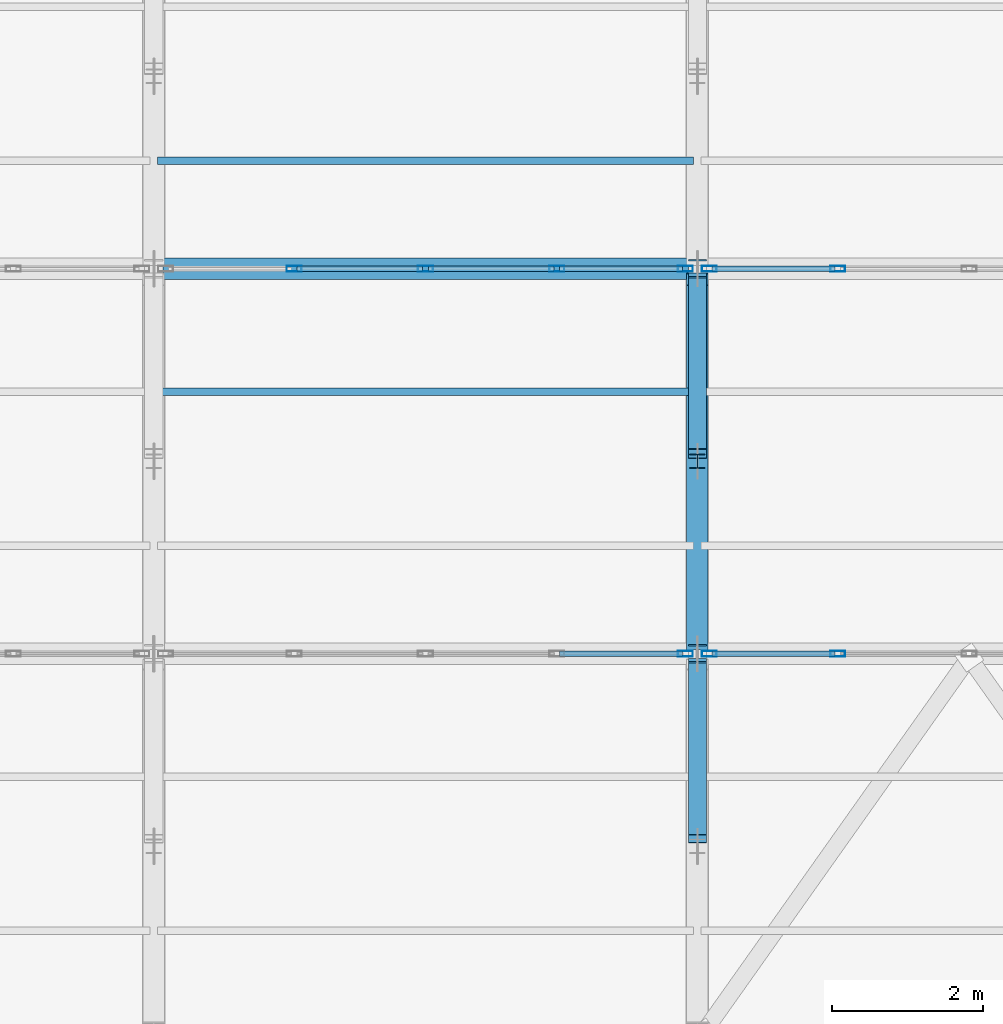
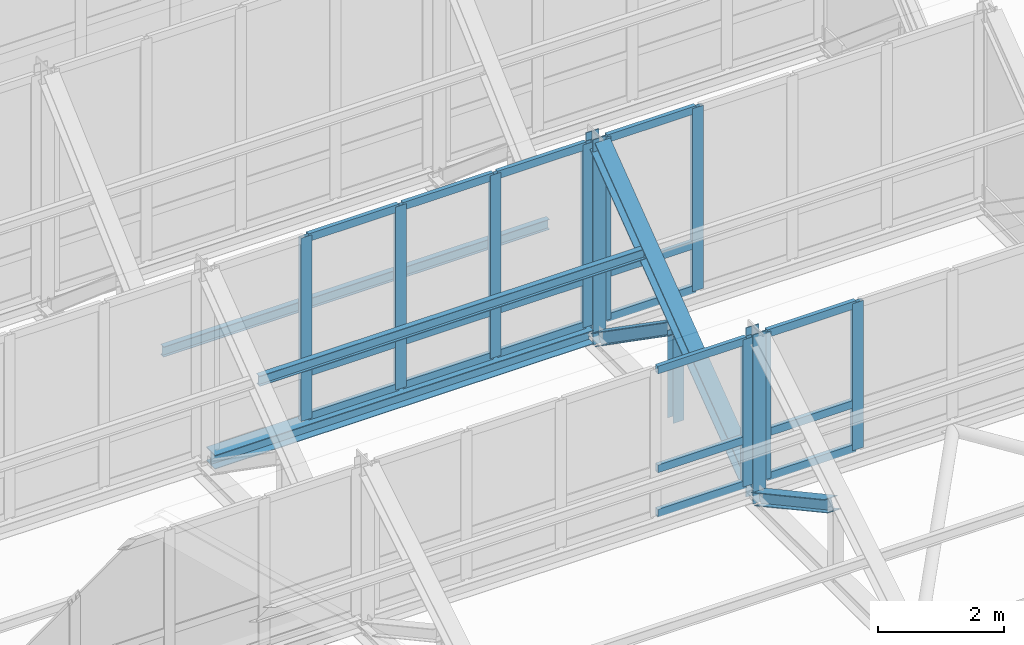
# One storey, part 30 of 157: 35 members, 1 beam, 4 elements without a shape of their own.
"""IFC4 building model written with IfcOpenShell, lengths in metres."""

from ifc_helpers import new_model, si_unit, direction, frame, origin, origin_2d, place, context, subcontext, project, spatial, hollow_rectangle, i_section, extrude, material, material_profile, profile_set, type_object, element, aggregate, save


model = new_model("IFC4")

# Units and contexts
model_context = context("Model", 3, precision=1e-05, world=origin(), true_north=direction((0.0, 1.0)))
body_context = subcontext(model_context, "Body", "Model", "MODEL_VIEW")
ifc_project = project(units=[si_unit("LENGTHUNIT", "METRE"), si_unit("AREAUNIT", "SQUARE_METRE"), si_unit("VOLUMEUNIT", "CUBIC_METRE"), si_unit("PLANEANGLEUNIT", "RADIAN"), si_unit("MASSUNIT", "GRAM", prefix="KILO")], contexts=[model_context])

# Site, building, storey
site_placement = place(None, origin())
site = spatial("IfcSite", under=ifc_project, at=site_placement, CompositionType="ELEMENT")
building_placement = place(site_placement, origin())
building = spatial("IfcBuilding", under=site, at=building_placement, Name="Suanplinth Sawtooth Commons", CompositionType="ELEMENT")
storey_placement = place(building_placement, frame((0.0, 0.0, 9.0)))
storey = spatial("IfcBuildingStorey", under=building, at=storey_placement, Name="L02", CompositionType="ELEMENT", Elevation=9.0)

# Beam
ifc_material_1 = material(Name="Steel S355JR", Category="steel")
ifc_material_profile_1 = material_profile(ifc_material_1, i_section(OverallWidth=0.280029296875, OverallDepth=0.27001953125, WebThickness=0.008056640625, FlangeThickness=0.012939453125, at=origin_2d()), Name="HEA 280")
ifc_profile_set_1 = profile_set([ifc_material_profile_1], Name="Steel S355JR")
beam_type = type_object("IfcBeamType", Name="B-16", PredefinedType="USERDEFINED", material=ifc_profile_set_1)
beam_placement = place(storey_placement, frame((100.919921875, 60.60009765625, 2.820068359375), z_axis=(1.0, 0.0, 0.0), x_axis=(0.0, 1.0, 0.0)))
element("IfcBeam", 1, at=beam_placement, inside=storey, type_object=beam_type, Name="Sawtooth Valley Girder T3-B6", ObjectType="GIRDER", PredefinedType="USERDEFINED", context=body_context, shape_type="SweptSolid", body=[
    extrude(i_section(OverallWidth=0.280029296875, OverallDepth=0.27001953125, WebThickness=0.008056640625, FlangeThickness=0.012939453125, at=origin_2d()), origin(), (0.0, 0.0, 1.0), 6.9599609375),
])

# Members
ifc_material_profile_2 = material_profile(ifc_material_1, i_section(OverallWidth=0.280029296875, OverallDepth=0.280029296875, WebThickness=0.010498046875, FlangeThickness=0.01806640625, at=origin_2d()), Name="HEB 280")
ifc_profile_set_2 = profile_set([ifc_material_profile_2], Name="Steel S355JR")
member_type_1 = type_object("IfcMemberType", Name="M-02", PredefinedType="CHORD", material=ifc_profile_set_2)
member_1_placement = place(storey_placement, frame((108.0, 55.639892578125, 2.919921875), z_axis=(0.0, 0.799596436712, 0.600537707723), x_axis=(-1.0, 0.0, 0.0)))
element("IfcMember", 2, at=member_1_placement, inside=storey, type_object=member_type_1, Name="Sawtooth Truss T7 Top Chord 2", PredefinedType="CHORD", context=body_context, shape_type="SweptSolid", body=[
    extrude(i_section(OverallWidth=0.280029296875, OverallDepth=0.280029296875, WebThickness=0.010498046875, FlangeThickness=0.01806640625, at=origin_2d()), origin(), (0.0, 0.0, 1.0), 6.028076171875),
])
ifc_material_profile_3 = material_profile(ifc_material_1, i_section(OverallWidth=0.239990234375, OverallDepth=0.22998046875, WebThickness=0.007568359375, FlangeThickness=0.011962890625, at=origin_2d()), Name="HEA 240")
ifc_profile_set_3 = profile_set([ifc_material_profile_3], Name="Steel S355JR")
member_type_2 = type_object("IfcMemberType", Name="M-03", PredefinedType="BRACE", material=ifc_profile_set_3)
member_2_placement = place(storey_placement, frame((108.0, 53.050048828125, 4.02001953125), z_axis=(0.0, 0.878022125023, -0.478620045517), x_axis=(-1.0, 0.0, 0.0)))
element("IfcMember", 3, at=member_2_placement, inside=storey, type_object=member_type_2, Name="Sawtooth Truss T7 Web Diagonal 1", PredefinedType="BRACE", context=body_context, shape_type="SweptSolid", body=[
    extrude(i_section(OverallWidth=0.239990234375, OverallDepth=0.22998046875, WebThickness=0.007568359375, FlangeThickness=0.011962890625, at=origin_2d()), origin(), (0.0, 0.0, 1.0), 2.653564453125),
])
member_3_placement = place(storey_placement, frame((108.0, 58.14990234375, 4.3701171875), z_axis=(0.0, 0.821038438566, -0.570872912649), x_axis=(-1.0, 0.0, 0.0)))
element("IfcMember", 4, at=member_3_placement, inside=storey, type_object=member_type_2, Name="Sawtooth Truss T7 Web Diagonal 2", PredefinedType="BRACE", context=body_context, shape_type="SweptSolid", body=[
    extrude(i_section(OverallWidth=0.239990234375, OverallDepth=0.22998046875, WebThickness=0.007568359375, FlangeThickness=0.011962890625, at=origin_2d()), origin(), (0.0, 0.0, 1.0), 2.837890625),
])
ifc_material_profile_4 = material_profile(ifc_material_1, i_section(OverallWidth=0.199951171875, OverallDepth=0.18994140625, WebThickness=0.006591796875, FlangeThickness=0.010009765625, at=origin_2d()), Name="HEA 200")
ifc_profile_set_4 = profile_set([ifc_material_profile_4], Name="Steel S355JR")
member_type_3 = type_object("IfcMemberType", Name="M-04", PredefinedType="BRACE", material=ifc_profile_set_4)
member_4_placement = place(storey_placement, frame((108.0, 58.050048828125, 2.64990234375), z_axis=(0.0, 0.0, 1.0), x_axis=(1.0, 0.0, 0.0)))
element("IfcMember", 5, at=member_4_placement, inside=storey, type_object=member_type_3, Name="Sawtooth Truss T7 Mid Web Post 2", PredefinedType="BRACE", context=body_context, shape_type="SweptSolid", body=[
    extrude(i_section(OverallWidth=0.199951171875, OverallDepth=0.18994140625, WebThickness=0.006591796875, FlangeThickness=0.010009765625, at=origin_2d()), origin(), (0.0, 0.0, 1.0), 1.7001953125),
])
ifc_material_profile_5 = material_profile(ifc_material_1, i_section(OverallWidth=0.239990234375, OverallDepth=0.239990234375, WebThickness=0.010009765625, FlangeThickness=0.01708984375, at=origin_2d()), Name="HEB 240")
ifc_profile_set_5 = profile_set([ifc_material_profile_5], Name="Steel S355JR")
member_type_4 = type_object("IfcMemberType", Name="M-05", PredefinedType="POST", material=ifc_profile_set_5)
member_5_placement = place(storey_placement, frame((108.0, 55.5, 2.64990234375), z_axis=(0.0, 0.0, 1.0), x_axis=(1.0, 0.0, 0.0)))
element("IfcMember", 6, at=member_5_placement, inside=storey, type_object=member_type_4, Name="Sawtooth Truss T7 Clerestory Post 1", PredefinedType="POST", context=body_context, shape_type="SweptSolid", body=[
    extrude(i_section(OverallWidth=0.239990234375, OverallDepth=0.239990234375, WebThickness=0.010009765625, FlangeThickness=0.01708984375, at=origin_2d()), origin(), (0.0, 0.0, 1.0), 3.2900390625),
])
member_6_placement = place(storey_placement, frame((108.0, 60.60009765625, 2.64990234375), z_axis=(0.0, 0.0, 1.0), x_axis=(1.0, 0.0, 0.0)))
element("IfcMember", 7, at=member_6_placement, inside=storey, type_object=member_type_4, Name="Sawtooth Truss T7 Clerestory Post 2", PredefinedType="POST", context=body_context, shape_type="SweptSolid", body=[
    extrude(i_section(OverallWidth=0.239990234375, OverallDepth=0.239990234375, WebThickness=0.010009765625, FlangeThickness=0.01708984375, at=origin_2d()), origin(), (0.0, 0.0, 1.0), 3.989990234375),
])
ifc_material_2 = material(Name="Steel SS400", Category="steel")
ifc_material_profile_6 = material_profile(ifc_material_2, i_section(OverallWidth=0.10009765625, OverallDepth=0.199951171875, WebThickness=0.005615234375, FlangeThickness=0.008544921875, at=origin_2d()), Name="IPE 200")
ifc_profile_set_6 = profile_set([ifc_material_profile_6], Name="Steel SS400")
member_type_5 = type_object("IfcMemberType", Name="M-06", PredefinedType="PURLIN", material=ifc_profile_set_6)
for number, where, z_axis, x_axis, name in (
    (8, (100.85009765625, 58.968017578125, 5.353515625), (1.0, 0.0, 0.0), (0.0, 1.0, 0.0), "Sawtooth Roof Purlin T2-B6-P2"),
    (9, (100.85009765625, 62.028076171875, 4.067138671875), (1.0, 0.0, 0.0), (0.0, 1.0, 0.0), "Sawtooth Roof Purlin T3-B6-P1"),
):
    element("IfcMember", number, at=place(storey_placement, frame(where, z_axis=z_axis, x_axis=x_axis)), inside=storey, type_object=member_type_5, Name=name, PredefinedType="PURLIN", context=body_context, shape_type="SweptSolid", body=[
        extrude(i_section(OverallWidth=0.10009765625, OverallDepth=0.199951171875, WebThickness=0.005615234375, FlangeThickness=0.008544921875, at=origin_2d()), origin(), (0.0, 0.0, 1.0), 7.099853515625),
    ])

# Curtain wall, member
ifc_material_3 = material(Name="Anodized aluminium and low-E glazing", Category="aluminium")
curtain_wall_type = type_object("IfcCurtainWallType", Name="CW-03", PredefinedType="USERDEFINED", material=ifc_material_3)
curtain_wall_1_placement = place(storey_placement, origin())
curtain_wall_1 = element("IfcCurtainWall", 10, at=curtain_wall_1_placement, inside=storey, type_object=curtain_wall_type, Name="Curtain Wall CW-SAW-T1-B6", ObjectType="CURTAIN WALL", PredefinedType="USERDEFINED")
ifc_material_4 = material(Name="Anodized aluminium 6063-T6", Category="aluminium")
ifc_material_profile_7 = material_profile(ifc_material_4, hollow_rectangle(XDim=0.074951171875, YDim=0.199951171875, WallThickness=0.0048828125, at=origin_2d()), Name="ALU-MUL 75x200")
ifc_profile_set_7 = profile_set([ifc_material_profile_7], Name="Anodized aluminium 6063-T6")
member_type_6 = type_object("IfcMemberType", Name="M-14", PredefinedType="MULLION", material=ifc_profile_set_7)
member_7_placement = place(storey_placement, frame((107.842529296875, 55.5, 2.97998046875), z_axis=(0.0, 0.0, 1.0), x_axis=(0.0, 1.0, 0.0)))
member_7 = element("IfcMember", 11, at=member_7_placement, type_object=member_type_6, Name="CW-03 mullion 5", PredefinedType="MULLION", context=body_context, shape_type="SweptSolid", body=[
    extrude(hollow_rectangle(XDim=0.074951171875, YDim=0.199951171875, WallThickness=0.0048828125, at=origin_2d()), origin(), (0.0, 0.0, 1.0), 2.860107421875),
])

# Curtain wall, members
curtain_wall_2_placement = place(storey_placement, origin())
curtain_wall_2 = element("IfcCurtainWall", 12, at=curtain_wall_2_placement, inside=storey, type_object=curtain_wall_type, Name="Curtain Wall CW-SAW-T1-B7", ObjectType="CURTAIN WALL", PredefinedType="USERDEFINED")
member_8_placement = place(storey_placement, frame((108.157470703125, 55.5, 2.97998046875), z_axis=(0.0, 0.0, 1.0), x_axis=(0.0, 1.0, 0.0)))
member_8 = element("IfcMember", 13, at=member_8_placement, type_object=member_type_6, Name="CW-03 mullion 1", PredefinedType="MULLION", context=body_context, shape_type="SweptSolid", body=[
    extrude(hollow_rectangle(XDim=0.074951171875, YDim=0.199951171875, WallThickness=0.0048828125, at=origin_2d()), origin(), (0.0, 0.0, 1.0), 2.860107421875),
])
member_9_placement = place(storey_placement, frame((109.860107421875, 55.5, 2.97998046875), z_axis=(0.0, 0.0, 1.0), x_axis=(0.0, 1.0, 0.0)))
member_9 = element("IfcMember", 14, at=member_9_placement, type_object=member_type_6, Name="CW-03 mullion 2", PredefinedType="MULLION", context=body_context, shape_type="SweptSolid", body=[
    extrude(hollow_rectangle(XDim=0.074951171875, YDim=0.199951171875, WallThickness=0.0048828125, at=origin_2d()), origin(), (0.0, 0.0, 1.0), 2.860107421875),
])

curtain_wall_3_placement = place(storey_placement, origin())
curtain_wall_3 = element("IfcCurtainWall", 15, at=curtain_wall_3_placement, inside=storey, type_object=curtain_wall_type, Name="Curtain Wall CW-SAW-T2-B6", ObjectType="CURTAIN WALL", PredefinedType="USERDEFINED")
member_10_placement = place(storey_placement, frame((102.659912109375, 60.60009765625, 2.97998046875), z_axis=(0.0, 0.0, 1.0), x_axis=(0.0, 1.0, 0.0)))
member_10 = element("IfcMember", 16, at=member_10_placement, type_object=member_type_6, Name="CW-03 mullion 2", PredefinedType="MULLION", context=body_context, shape_type="SweptSolid", body=[
    extrude(hollow_rectangle(XDim=0.074951171875, YDim=0.199951171875, WallThickness=0.0048828125, at=origin_2d()), origin(), (0.0, 0.0, 1.0), 3.56005859375),
])
member_11_placement = place(storey_placement, frame((104.39990234375, 60.60009765625, 2.97998046875), z_axis=(0.0, 0.0, 1.0), x_axis=(0.0, 1.0, 0.0)))
member_11 = element("IfcMember", 17, at=member_11_placement, type_object=member_type_6, Name="CW-03 mullion 3", PredefinedType="MULLION", context=body_context, shape_type="SweptSolid", body=[
    extrude(hollow_rectangle(XDim=0.074951171875, YDim=0.199951171875, WallThickness=0.0048828125, at=origin_2d()), origin(), (0.0, 0.0, 1.0), 3.56005859375),
])
member_12_placement = place(storey_placement, frame((106.139892578125, 60.60009765625, 2.97998046875), z_axis=(0.0, 0.0, 1.0), x_axis=(0.0, 1.0, 0.0)))
member_12 = element("IfcMember", 18, at=member_12_placement, type_object=member_type_6, Name="CW-03 mullion 4", PredefinedType="MULLION", context=body_context, shape_type="SweptSolid", body=[
    extrude(hollow_rectangle(XDim=0.074951171875, YDim=0.199951171875, WallThickness=0.0048828125, at=origin_2d()), origin(), (0.0, 0.0, 1.0), 3.56005859375),
])
member_13_placement = place(storey_placement, frame((107.842529296875, 60.60009765625, 2.97998046875), z_axis=(0.0, 0.0, 1.0), x_axis=(0.0, 1.0, 0.0)))
member_13 = element("IfcMember", 19, at=member_13_placement, type_object=member_type_6, Name="CW-03 mullion 5", PredefinedType="MULLION", context=body_context, shape_type="SweptSolid", body=[
    extrude(hollow_rectangle(XDim=0.074951171875, YDim=0.199951171875, WallThickness=0.0048828125, at=origin_2d()), origin(), (0.0, 0.0, 1.0), 3.56005859375),
])

curtain_wall_4_placement = place(storey_placement, origin())
curtain_wall_4 = element("IfcCurtainWall", 20, at=curtain_wall_4_placement, inside=storey, type_object=curtain_wall_type, Name="Curtain Wall CW-SAW-T2-B7", ObjectType="CURTAIN WALL", PredefinedType="USERDEFINED")
member_14_placement = place(storey_placement, frame((108.157470703125, 60.60009765625, 2.97998046875), z_axis=(0.0, 0.0, 1.0), x_axis=(0.0, 1.0, 0.0)))
member_14 = element("IfcMember", 21, at=member_14_placement, type_object=member_type_6, Name="CW-03 mullion 1", PredefinedType="MULLION", context=body_context, shape_type="SweptSolid", body=[
    extrude(hollow_rectangle(XDim=0.074951171875, YDim=0.199951171875, WallThickness=0.0048828125, at=origin_2d()), origin(), (0.0, 0.0, 1.0), 3.56005859375),
])
member_15_placement = place(storey_placement, frame((109.860107421875, 60.60009765625, 2.97998046875), z_axis=(0.0, 0.0, 1.0), x_axis=(0.0, 1.0, 0.0)))
member_15 = element("IfcMember", 22, at=member_15_placement, type_object=member_type_6, Name="CW-03 mullion 2", PredefinedType="MULLION", context=body_context, shape_type="SweptSolid", body=[
    extrude(hollow_rectangle(XDim=0.074951171875, YDim=0.199951171875, WallThickness=0.0048828125, at=origin_2d()), origin(), (0.0, 0.0, 1.0), 3.56005859375),
])

# Member
ifc_material_profile_8 = material_profile(ifc_material_4, hollow_rectangle(XDim=0.074951171875, YDim=0.14990234375, WallThickness=0.00439453125, at=origin_2d()), Name="ALU-TRN 75x150")
ifc_profile_set_8 = profile_set([ifc_material_profile_8], Name="Anodized aluminium 6063-T6")
member_type_7 = type_object("IfcMemberType", Name="M-16", PredefinedType="USERDEFINED", material=ifc_profile_set_8)
member_16_placement = place(storey_placement, frame((106.177490234375, 55.5, 3.017578125), z_axis=(1.0, 0.0, 0.0), x_axis=(0.0, 1.0, 0.0)))
member_16 = element("IfcMember", 23, at=member_16_placement, type_object=member_type_7, Name="CW-03 transom 4.1", ObjectType="TRANSOM", PredefinedType="USERDEFINED", context=body_context, shape_type="SweptSolid", body=[
    extrude(hollow_rectangle(XDim=0.074951171875, YDim=0.14990234375, WallThickness=0.00439453125, at=origin_2d()), origin(), (0.0, 0.0, 1.0), 1.62744140625),
])

member_17_placement = place(storey_placement, frame((106.177490234375, 55.5, 3.8798828125), z_axis=(1.0, 0.0, 0.0), x_axis=(0.0, 1.0, 0.0)))
member_17 = element("IfcMember", 24, at=member_17_placement, type_object=member_type_7, Name="CW-03 transom 4.2", ObjectType="TRANSOM", PredefinedType="USERDEFINED", context=body_context, shape_type="SweptSolid", body=[
    extrude(hollow_rectangle(XDim=0.074951171875, YDim=0.14990234375, WallThickness=0.00439453125, at=origin_2d()), origin(), (0.0, 0.0, 1.0), 1.62744140625),
])

member_18_placement = place(storey_placement, frame((106.177490234375, 55.5, 5.802490234375), z_axis=(1.0, 0.0, 0.0), x_axis=(0.0, 1.0, 0.0)))
member_18 = element("IfcMember", 25, at=member_18_placement, type_object=member_type_7, Name="CW-03 transom 4.3", ObjectType="TRANSOM", PredefinedType="USERDEFINED", context=body_context, shape_type="SweptSolid", body=[
    extrude(hollow_rectangle(XDim=0.074951171875, YDim=0.14990234375, WallThickness=0.00439453125, at=origin_2d()), origin(), (0.0, 0.0, 1.0), 1.62744140625),
])

aggregate(curtain_wall_1, [member_7, member_16, member_17, member_18])

member_19_placement = place(storey_placement, frame((108.195068359375, 55.5, 3.017578125), z_axis=(1.0, 0.0, 0.0), x_axis=(0.0, 1.0, 0.0)))
member_19 = element("IfcMember", 26, at=member_19_placement, type_object=member_type_7, Name="CW-03 transom 1.1", ObjectType="TRANSOM", PredefinedType="USERDEFINED", context=body_context, shape_type="SweptSolid", body=[
    extrude(hollow_rectangle(XDim=0.074951171875, YDim=0.14990234375, WallThickness=0.00439453125, at=origin_2d()), origin(), (0.0, 0.0, 1.0), 1.62744140625),
])

member_20_placement = place(storey_placement, frame((108.195068359375, 55.5, 3.8798828125), z_axis=(1.0, 0.0, 0.0), x_axis=(0.0, 1.0, 0.0)))
member_20 = element("IfcMember", 27, at=member_20_placement, type_object=member_type_7, Name="CW-03 transom 1.2", ObjectType="TRANSOM", PredefinedType="USERDEFINED", context=body_context, shape_type="SweptSolid", body=[
    extrude(hollow_rectangle(XDim=0.074951171875, YDim=0.14990234375, WallThickness=0.00439453125, at=origin_2d()), origin(), (0.0, 0.0, 1.0), 1.62744140625),
])

member_21_placement = place(storey_placement, frame((108.195068359375, 55.5, 5.802490234375), z_axis=(1.0, 0.0, 0.0), x_axis=(0.0, 1.0, 0.0)))
member_21 = element("IfcMember", 28, at=member_21_placement, type_object=member_type_7, Name="CW-03 transom 1.3", ObjectType="TRANSOM", PredefinedType="USERDEFINED", context=body_context, shape_type="SweptSolid", body=[
    extrude(hollow_rectangle(XDim=0.074951171875, YDim=0.14990234375, WallThickness=0.00439453125, at=origin_2d()), origin(), (0.0, 0.0, 1.0), 1.62744140625),
])

aggregate(curtain_wall_2, [member_8, member_9, member_19, member_20, member_21])

member_22_placement = place(storey_placement, frame((102.697509765625, 60.60009765625, 3.017578125), z_axis=(1.0, 0.0, 0.0), x_axis=(0.0, 1.0, 0.0)))
member_22 = element("IfcMember", 29, at=member_22_placement, type_object=member_type_7, Name="CW-03 transom 2.1", ObjectType="TRANSOM", PredefinedType="USERDEFINED", context=body_context, shape_type="SweptSolid", body=[
    extrude(hollow_rectangle(XDim=0.074951171875, YDim=0.14990234375, WallThickness=0.00439453125, at=origin_2d()), origin(), (0.0, 0.0, 1.0), 1.6650390625),
])

member_23_placement = place(storey_placement, frame((102.697509765625, 60.60009765625, 3.8798828125), z_axis=(1.0, 0.0, 0.0), x_axis=(0.0, 1.0, 0.0)))
member_23 = element("IfcMember", 30, at=member_23_placement, type_object=member_type_7, Name="CW-03 transom 2.2", ObjectType="TRANSOM", PredefinedType="USERDEFINED", context=body_context, shape_type="SweptSolid", body=[
    extrude(hollow_rectangle(XDim=0.074951171875, YDim=0.14990234375, WallThickness=0.00439453125, at=origin_2d()), origin(), (0.0, 0.0, 1.0), 1.6650390625),
])

member_24_placement = place(storey_placement, frame((102.697509765625, 60.60009765625, 6.50244140625), z_axis=(1.0, 0.0, 0.0), x_axis=(0.0, 1.0, 0.0)))
member_24 = element("IfcMember", 31, at=member_24_placement, type_object=member_type_7, Name="CW-03 transom 2.3", ObjectType="TRANSOM", PredefinedType="USERDEFINED", context=body_context, shape_type="SweptSolid", body=[
    extrude(hollow_rectangle(XDim=0.074951171875, YDim=0.14990234375, WallThickness=0.00439453125, at=origin_2d()), origin(), (0.0, 0.0, 1.0), 1.6650390625),
])

member_25_placement = place(storey_placement, frame((104.4375, 60.60009765625, 3.017578125), z_axis=(1.0, 0.0, 0.0), x_axis=(0.0, 1.0, 0.0)))
member_25 = element("IfcMember", 32, at=member_25_placement, type_object=member_type_7, Name="CW-03 transom 3.1", ObjectType="TRANSOM", PredefinedType="USERDEFINED", context=body_context, shape_type="SweptSolid", body=[
    extrude(hollow_rectangle(XDim=0.074951171875, YDim=0.14990234375, WallThickness=0.00439453125, at=origin_2d()), origin(), (0.0, 0.0, 1.0), 1.6650390625),
])

member_26_placement = place(storey_placement, frame((104.4375, 60.60009765625, 3.8798828125), z_axis=(1.0, 0.0, 0.0), x_axis=(0.0, 1.0, 0.0)))
member_26 = element("IfcMember", 33, at=member_26_placement, type_object=member_type_7, Name="CW-03 transom 3.2", ObjectType="TRANSOM", PredefinedType="USERDEFINED", context=body_context, shape_type="SweptSolid", body=[
    extrude(hollow_rectangle(XDim=0.074951171875, YDim=0.14990234375, WallThickness=0.00439453125, at=origin_2d()), origin(), (0.0, 0.0, 1.0), 1.6650390625),
])

member_27_placement = place(storey_placement, frame((104.4375, 60.60009765625, 6.50244140625), z_axis=(1.0, 0.0, 0.0), x_axis=(0.0, 1.0, 0.0)))
member_27 = element("IfcMember", 34, at=member_27_placement, type_object=member_type_7, Name="CW-03 transom 3.3", ObjectType="TRANSOM", PredefinedType="USERDEFINED", context=body_context, shape_type="SweptSolid", body=[
    extrude(hollow_rectangle(XDim=0.074951171875, YDim=0.14990234375, WallThickness=0.00439453125, at=origin_2d()), origin(), (0.0, 0.0, 1.0), 1.6650390625),
])

member_28_placement = place(storey_placement, frame((106.177490234375, 60.60009765625, 3.017578125), z_axis=(1.0, 0.0, 0.0), x_axis=(0.0, 1.0, 0.0)))
member_28 = element("IfcMember", 35, at=member_28_placement, type_object=member_type_7, Name="CW-03 transom 4.1", ObjectType="TRANSOM", PredefinedType="USERDEFINED", context=body_context, shape_type="SweptSolid", body=[
    extrude(hollow_rectangle(XDim=0.074951171875, YDim=0.14990234375, WallThickness=0.00439453125, at=origin_2d()), origin(), (0.0, 0.0, 1.0), 1.62744140625),
])

member_29_placement = place(storey_placement, frame((106.177490234375, 60.60009765625, 3.8798828125), z_axis=(1.0, 0.0, 0.0), x_axis=(0.0, 1.0, 0.0)))
member_29 = element("IfcMember", 36, at=member_29_placement, type_object=member_type_7, Name="CW-03 transom 4.2", ObjectType="TRANSOM", PredefinedType="USERDEFINED", context=body_context, shape_type="SweptSolid", body=[
    extrude(hollow_rectangle(XDim=0.074951171875, YDim=0.14990234375, WallThickness=0.00439453125, at=origin_2d()), origin(), (0.0, 0.0, 1.0), 1.62744140625),
])

member_30_placement = place(storey_placement, frame((106.177490234375, 60.60009765625, 6.50244140625), z_axis=(1.0, 0.0, 0.0), x_axis=(0.0, 1.0, 0.0)))
member_30 = element("IfcMember", 37, at=member_30_placement, type_object=member_type_7, Name="CW-03 transom 4.3", ObjectType="TRANSOM", PredefinedType="USERDEFINED", context=body_context, shape_type="SweptSolid", body=[
    extrude(hollow_rectangle(XDim=0.074951171875, YDim=0.14990234375, WallThickness=0.00439453125, at=origin_2d()), origin(), (0.0, 0.0, 1.0), 1.62744140625),
])

aggregate(curtain_wall_3, [member_10, member_11, member_12, member_13, member_22, member_23, member_24, member_25, member_26, member_27, member_28, member_29, member_30])

member_31_placement = place(storey_placement, frame((108.195068359375, 60.60009765625, 3.017578125), z_axis=(1.0, 0.0, 0.0), x_axis=(0.0, 1.0, 0.0)))
member_31 = element("IfcMember", 38, at=member_31_placement, type_object=member_type_7, Name="CW-03 transom 1.1", ObjectType="TRANSOM", PredefinedType="USERDEFINED", context=body_context, shape_type="SweptSolid", body=[
    extrude(hollow_rectangle(XDim=0.074951171875, YDim=0.14990234375, WallThickness=0.00439453125, at=origin_2d()), origin(), (0.0, 0.0, 1.0), 1.62744140625),
])

member_32_placement = place(storey_placement, frame((108.195068359375, 60.60009765625, 3.8798828125), z_axis=(1.0, 0.0, 0.0), x_axis=(0.0, 1.0, 0.0)))
member_32 = element("IfcMember", 39, at=member_32_placement, type_object=member_type_7, Name="CW-03 transom 1.2", ObjectType="TRANSOM", PredefinedType="USERDEFINED", context=body_context, shape_type="SweptSolid", body=[
    extrude(hollow_rectangle(XDim=0.074951171875, YDim=0.14990234375, WallThickness=0.00439453125, at=origin_2d()), origin(), (0.0, 0.0, 1.0), 1.62744140625),
])

member_33_placement = place(storey_placement, frame((108.195068359375, 60.60009765625, 6.50244140625), z_axis=(1.0, 0.0, 0.0), x_axis=(0.0, 1.0, 0.0)))
member_33 = element("IfcMember", 40, at=member_33_placement, type_object=member_type_7, Name="CW-03 transom 1.3", ObjectType="TRANSOM", PredefinedType="USERDEFINED", context=body_context, shape_type="SweptSolid", body=[
    extrude(hollow_rectangle(XDim=0.074951171875, YDim=0.14990234375, WallThickness=0.00439453125, at=origin_2d()), origin(), (0.0, 0.0, 1.0), 1.62744140625),
])

aggregate(curtain_wall_4, [member_14, member_15, member_31, member_32, member_33])

save(model, "model.ifc")
